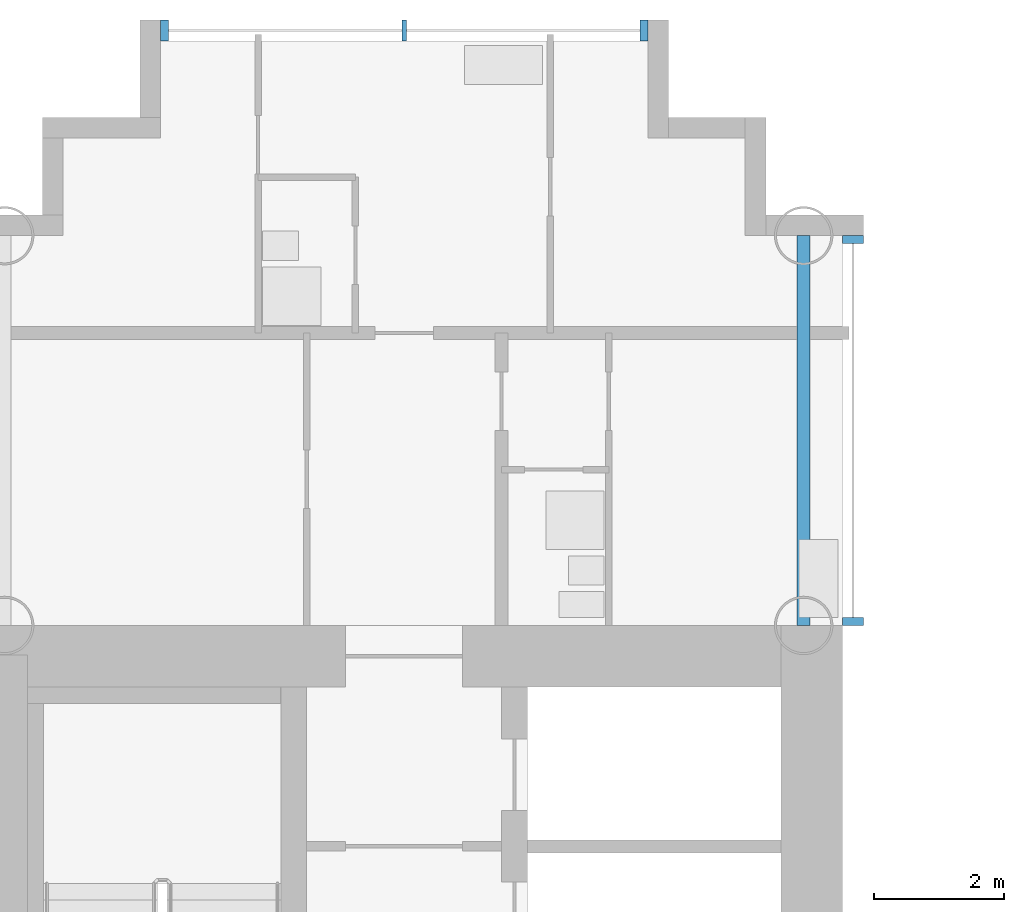
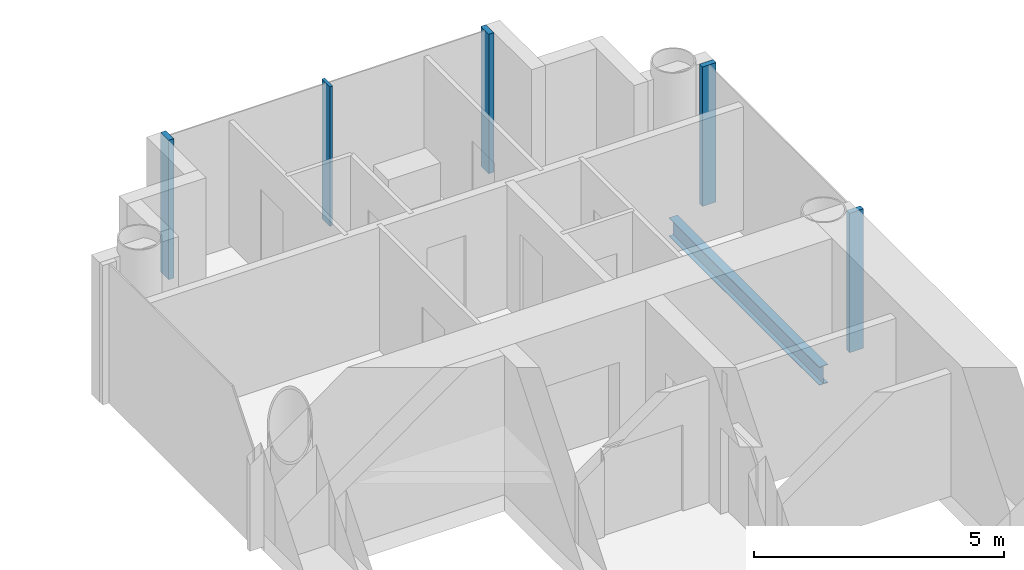
# One storey, part 6 of 21: 5 members, 1 beam, 2 elements without a shape of their own.
"""IFC4 building model written with IfcOpenShell, lengths in metres."""

from ifc_helpers import new_model, si_unit, direction, frame, origin, origin_2d, place, context, subcontext, project, spatial, rectangle, i_section, extrude, material, layer, layer_set, material_profile, profile_set, type_object, element, aggregate, save


model = new_model("IFC4")

# Units and contexts
model_context = context("Model", 3, precision=1e-05, world=origin(), true_north=direction((0.0, 1.0)))
body_context = subcontext(model_context, "Body", "Model", "MODEL_VIEW")
ifc_project = project(units=[si_unit("LENGTHUNIT", "METRE"), si_unit("AREAUNIT", "SQUARE_METRE"), si_unit("VOLUMEUNIT", "CUBIC_METRE"), si_unit("PLANEANGLEUNIT", "RADIAN"), si_unit("MASSUNIT", "GRAM", prefix="KILO")], contexts=[model_context])

# Site, building, storey
site_placement = place(None, origin())
site = spatial("IfcSite", under=ifc_project, at=site_placement, CompositionType="ELEMENT")
building_placement = place(site_placement, origin())
building = spatial("IfcBuilding", under=site, at=building_placement, Name="Ipe Terrace Towers", CompositionType="ELEMENT")
storey_placement = place(building_placement, frame((0.0, 0.0, 83.39990234375)))
storey = spatial("IfcBuildingStorey", under=building, at=storey_placement, Name="L22", CompositionType="ELEMENT", Elevation=83.39990234375)

# Beam
ifc_material_1 = material(Name="Steel S355", Category="steel")
ifc_material_profile_1 = material_profile(ifc_material_1, i_section(OverallWidth=0.199951171875, OverallDepth=0.449951171875, WebThickness=0.009033203125, FlangeThickness=0.013916015625, at=origin_2d()), Name="H-450x200x9x14")
ifc_profile_set_1 = profile_set([ifc_material_profile_1], Name="Steel S355")
beam_type = type_object("IfcBeamType", Name="H08 EDGE BEAM H-450x200x9x14", PredefinedType="BEAM", material=ifc_profile_set_1)
beam_placement = place(storey_placement, frame((42.14990234375, 15.75, -0.625), z_axis=(0.0, 1.0, 0.0), x_axis=(-1.0, 0.0, 0.0)))
element("IfcBeam", 1, at=beam_placement, inside=storey, type_object=beam_type, Name="Edge beam T2-EB-A01-A03", PredefinedType="BEAM", context=body_context, shape_type="SweptSolid", body=[
    extrude(i_section(OverallWidth=0.199951171875, OverallDepth=0.449951171875, WebThickness=0.009033203125, FlangeThickness=0.013916015625, at=origin_2d()), origin(), (0.0, 0.0, 1.0), 6.0),
])

# Curtain wall, members
ifc_material_2 = material(Name="Aluminium alloy 6063-T6", Category="aluminium")
ifc_layer = layer(ifc_material_2, 0.320068359375)
ifc_layer_set = layer_set([ifc_layer], Name="TOWER UNITISED CURTAIN WALL")
curtain_wall_type = type_object("IfcCurtainWallType", Name="TOWER UNITISED CURTAIN WALL", PredefinedType="NOTDEFINED", material=ifc_layer_set)
curtain_wall_1_placement = place(storey_placement, origin())
curtain_wall_1 = element("IfcCurtainWall", 2, at=curtain_wall_1_placement, inside=storey, type_object=curtain_wall_type, Name="T2-CW-L22-16b curtain wall", PredefinedType="NOTDEFINED")
ifc_material_3 = material(Name="Aluminium alloy 6063-T6", Category="aluminium")
ifc_material_profile_2 = material_profile(ifc_material_3, rectangle(XDim=0.320068359375, YDim=0.1201171875, at=origin_2d()), Name="TOWER UNITISED CORNER MULLION 320 x 120")
ifc_profile_set_2 = profile_set([ifc_material_profile_2], Name="Aluminium alloy 6063-T6")
member_type_1 = type_object("IfcMemberType", Name="TOWER UNITISED CORNER MULLION 320 x 120", PredefinedType="MULLION", material=ifc_profile_set_2)
member_1_placement = place(storey_placement, frame((42.909912109375, 15.81103515625, -0.2998046875), z_axis=(0.0, 0.0, 1.0), x_axis=(1.0, 0.0, 0.0)))
member_1 = element("IfcMember", 3, at=member_1_placement, type_object=member_type_1, Name="T2-CW-L22-16b mullion 1", PredefinedType="MULLION", context=body_context, shape_type="SweptSolid", body=[
    extrude(rectangle(XDim=0.320068359375, YDim=0.1201171875, at=origin_2d()), origin(), (0.0, 0.0, 1.0), 3.39990234375),
])
member_2_placement = place(storey_placement, frame((42.909912109375, 21.68994140625, -0.2998046875), z_axis=(0.0, 0.0, 1.0), x_axis=(1.0, 0.0, 0.0)))
member_2 = element("IfcMember", 4, at=member_2_placement, type_object=member_type_1, Name="T2-CW-L22-16b mullion 2", PredefinedType="MULLION", context=body_context, shape_type="SweptSolid", body=[
    extrude(rectangle(XDim=0.320068359375, YDim=0.1201171875, at=origin_2d()), origin(), (0.0, 0.0, 1.0), 3.39990234375),
])
aggregate(curtain_wall_1, [member_1, member_2])

curtain_wall_2_placement = place(storey_placement, origin())
curtain_wall_2 = element("IfcCurtainWall", 5, at=curtain_wall_2_placement, inside=storey, type_object=curtain_wall_type, Name="T2-CW-L22-21a curtain wall", PredefinedType="NOTDEFINED")
member_3_placement = place(storey_placement, frame((39.68994140625, 24.909912109375, -0.2998046875), z_axis=(0.0, 0.0, 1.0), x_axis=(0.0, 1.0, 0.0)))
member_3 = element("IfcMember", 6, at=member_3_placement, type_object=member_type_1, Name="T2-CW-L22-21a mullion 1", PredefinedType="MULLION", context=body_context, shape_type="SweptSolid", body=[
    extrude(rectangle(XDim=0.320068359375, YDim=0.1201171875, at=origin_2d()), origin(), (0.0, 0.0, 1.0), 3.39990234375),
])
member_4_placement = place(storey_placement, frame((32.31005859375, 24.909912109375, -0.2998046875), z_axis=(0.0, 0.0, 1.0), x_axis=(0.0, 1.0, 0.0)))
member_4 = element("IfcMember", 7, at=member_4_placement, type_object=member_type_1, Name="T2-CW-L22-21a mullion 3", PredefinedType="MULLION", context=body_context, shape_type="SweptSolid", body=[
    extrude(rectangle(XDim=0.320068359375, YDim=0.1201171875, at=origin_2d()), origin(), (0.0, 0.0, 1.0), 3.39990234375),
])
ifc_material_4 = material(Name="Aluminium alloy 6063-T6", Category="aluminium")
ifc_material_profile_3 = material_profile(ifc_material_4, rectangle(XDim=0.320068359375, YDim=0.06494140625, at=origin_2d()), Name="TOWER UNITISED MULLION 320 x 65")
ifc_profile_set_3 = profile_set([ifc_material_profile_3], Name="Aluminium alloy 6063-T6")
member_type_2 = type_object("IfcMemberType", Name="TOWER UNITISED MULLION 320 x 65", PredefinedType="MULLION", material=ifc_profile_set_3)
member_5_placement = place(storey_placement, frame((36.0, 24.909912109375, -0.2998046875), z_axis=(0.0, 0.0, 1.0), x_axis=(0.0, 1.0, 0.0)))
member_5 = element("IfcMember", 8, at=member_5_placement, type_object=member_type_2, Name="T2-CW-L22-21a mullion 2", PredefinedType="MULLION", context=body_context, shape_type="SweptSolid", body=[
    extrude(rectangle(XDim=0.320068359375, YDim=0.06494140625, at=origin_2d()), origin(), (0.0, 0.0, 1.0), 3.39990234375),
])
aggregate(curtain_wall_2, [member_3, member_5, member_4])

save(model, "model.ifc")
